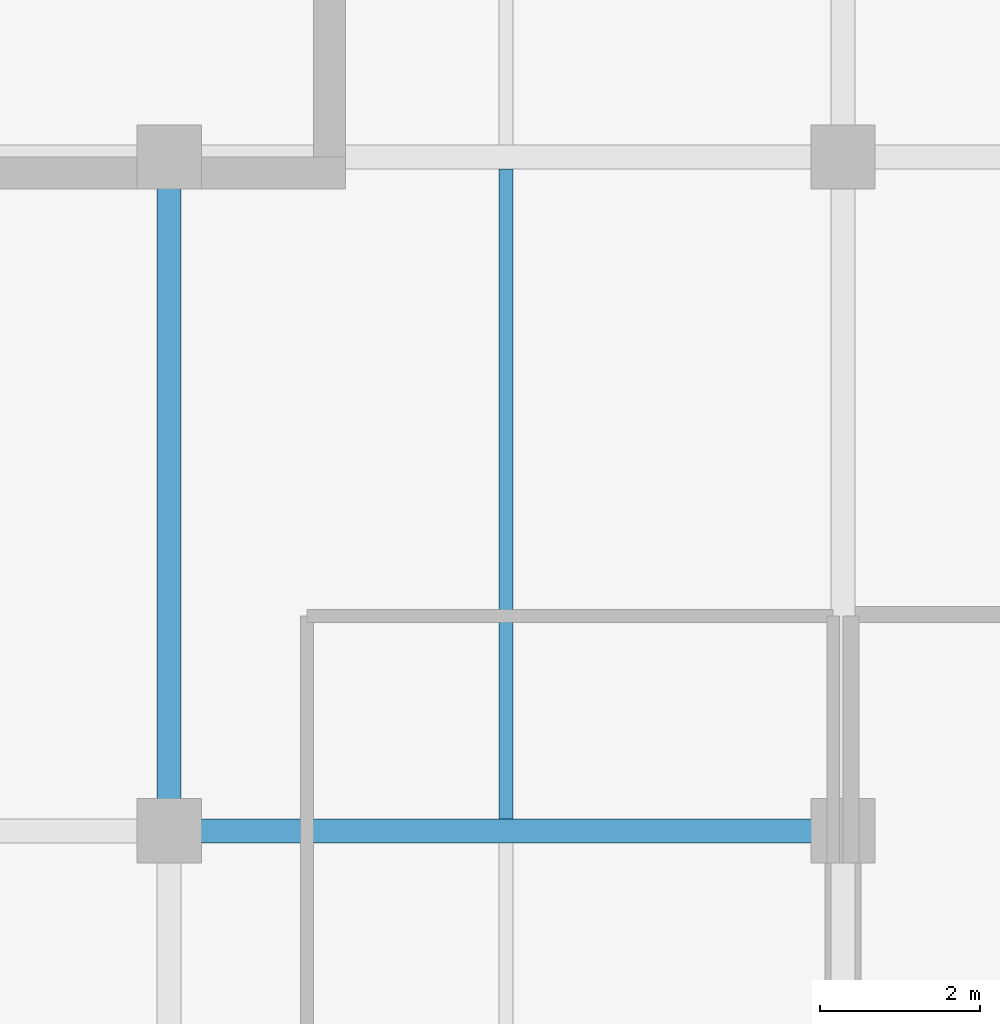
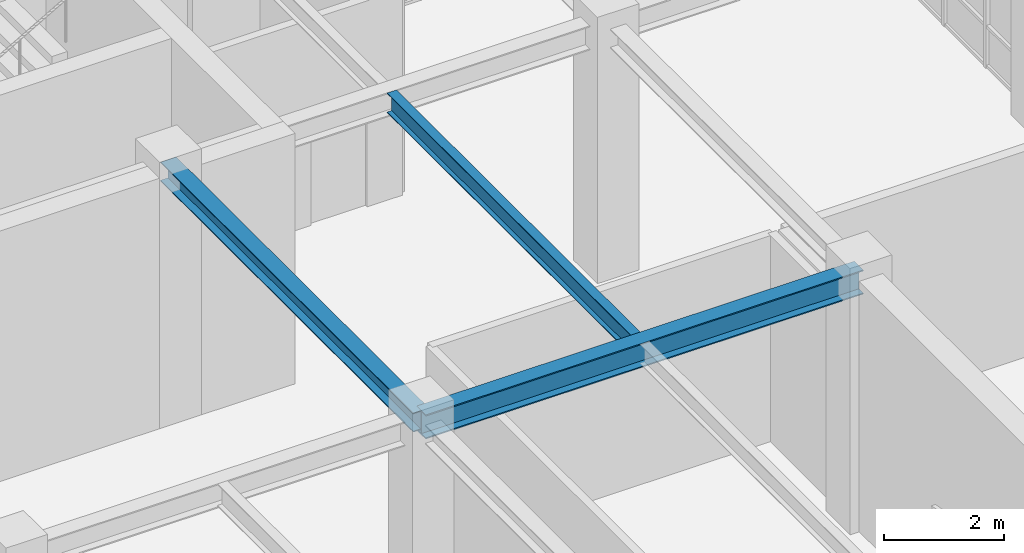
# One storey, part 40 of 122: 3 beams.
"""IFC4 building model written with IfcOpenShell, lengths in metres."""

from ifc_helpers import new_model, si_unit, direction, frame, origin, origin_2d, place, context, subcontext, project, spatial, i_section, extrude, material, material_profile, profile_set, type_object, element, save


model = new_model("IFC4")

# Units and contexts
model_context = context("Model", 3, precision=1e-05, world=origin(), true_north=direction((0.0, 1.0)))
body_context = subcontext(model_context, "Body", "Model", "MODEL_VIEW")
ifc_project = project(units=[si_unit("LENGTHUNIT", "METRE"), si_unit("AREAUNIT", "SQUARE_METRE"), si_unit("VOLUMEUNIT", "CUBIC_METRE"), si_unit("PLANEANGLEUNIT", "RADIAN"), si_unit("MASSUNIT", "GRAM", prefix="KILO")], contexts=[model_context])

# Site, building, storey
site_placement = place(None, origin())
site = spatial("IfcSite", under=ifc_project, at=site_placement, CompositionType="ELEMENT")
building_placement = place(site_placement, origin())
building = spatial("IfcBuilding", under=site, at=building_placement, Name="Zayran Congress Hotel", CompositionType="ELEMENT")
storey_placement = place(building_placement, origin())
storey = spatial("IfcBuildingStorey", under=building, at=storey_placement, Name="L00", CompositionType="ELEMENT", Elevation=0.0)

# Beams
ifc_material = material(Name="Steel S355", Category="steel")
ifc_material_profile_1 = material_profile(ifc_material, i_section(OverallWidth=0.300048828125, OverallDepth=0.489990234375, WebThickness=0.011962890625, FlangeThickness=0.02294921875, at=origin_2d()), Name="HEA 500")
ifc_profile_set_1 = profile_set([ifc_material_profile_1], Name="Steel S355")
beam_type_1 = type_object("IfcBeamType", Name="TP-BM-05", PredefinedType="BEAM", material=ifc_profile_set_1)
beam_1_placement = place(storey_placement, frame((16.800048828125, 101.199951171875, 4.8349609375), z_axis=(1.0, 0.0, 0.0), x_axis=(0.0, 1.0, 0.0)))
element("IfcBeam", 1, at=beam_1_placement, inside=storey, type_object=beam_type_1, Name="BM-V1-L00-0422", PredefinedType="BEAM", context=body_context, shape_type="SweptSolid", body=[
    extrude(i_section(OverallWidth=0.300048828125, OverallDepth=0.489990234375, WebThickness=0.011962890625, FlangeThickness=0.02294921875, at=origin_2d()), origin(), (0.0, 0.0, 1.0), 8.39990234375),
])
ifc_material_profile_2 = material_profile(ifc_material, i_section(OverallWidth=0.300048828125, OverallDepth=0.389892578125, WebThickness=0.010986328125, FlangeThickness=0.01904296875, at=origin_2d()), Name="HEA 400")
ifc_profile_set_2 = profile_set([ifc_material_profile_2], Name="Steel S355")
beam_type_2 = type_object("IfcBeamType", Name="TP-BM-06", PredefinedType="BEAM", material=ifc_profile_set_2)
beam_2_placement = place(storey_placement, frame((16.800048828125, 101.199951171875, 4.885009765625), z_axis=(0.0, 1.0, 0.0), x_axis=(-1.0, 0.0, 0.0)))
element("IfcBeam", 2, at=beam_2_placement, inside=storey, type_object=beam_type_2, Name="BM-V1-L00-0454", PredefinedType="BEAM", context=body_context, shape_type="SweptSolid", body=[
    extrude(i_section(OverallWidth=0.300048828125, OverallDepth=0.389892578125, WebThickness=0.010986328125, FlangeThickness=0.01904296875, at=origin_2d()), origin(), (0.0, 0.0, 1.0), 8.400146484375),
])
ifc_material_profile_3 = material_profile(ifc_material, i_section(OverallWidth=0.179931640625, OverallDepth=0.39990234375, WebThickness=0.008544921875, FlangeThickness=0.013427734375, at=origin_2d()), Name="IPE 400")
ifc_profile_set_3 = profile_set([ifc_material_profile_3], Name="Steel S355")
beam_type_3 = type_object("IfcBeamType", Name="TP-JS-03", PredefinedType="JOIST", material=ifc_profile_set_3)
beam_3_placement = place(storey_placement, frame((21.0, 101.35009765625, 4.8798828125), z_axis=(0.0, 1.0, 0.0), x_axis=(-1.0, 0.0, 0.0)))
element("IfcBeam", 3, at=beam_3_placement, inside=storey, type_object=beam_type_3, Name="JST-V1-L00-0495", PredefinedType="JOIST", context=body_context, shape_type="SweptSolid", body=[
    extrude(i_section(OverallWidth=0.179931640625, OverallDepth=0.39990234375, WebThickness=0.008544921875, FlangeThickness=0.013427734375, at=origin_2d()), origin(), (0.0, 0.0, 1.0), 8.099853515625),
])

save(model, "model.ifc")
